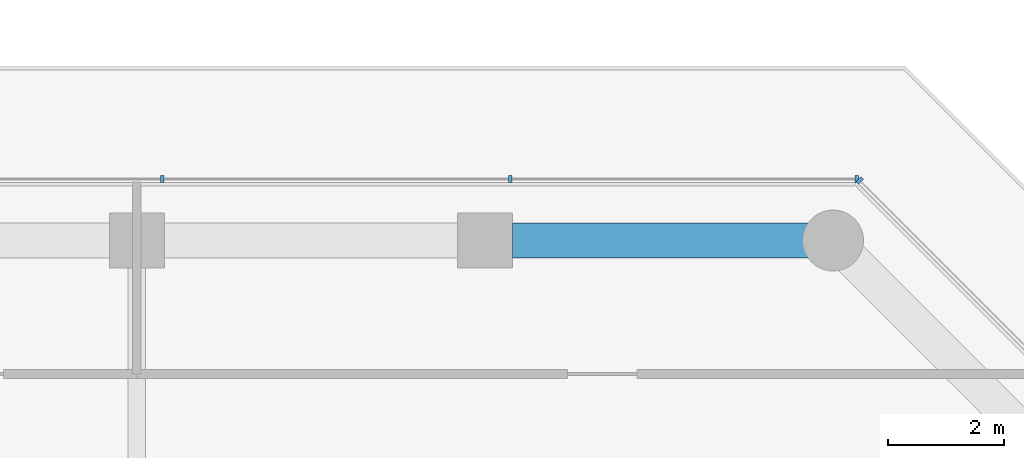
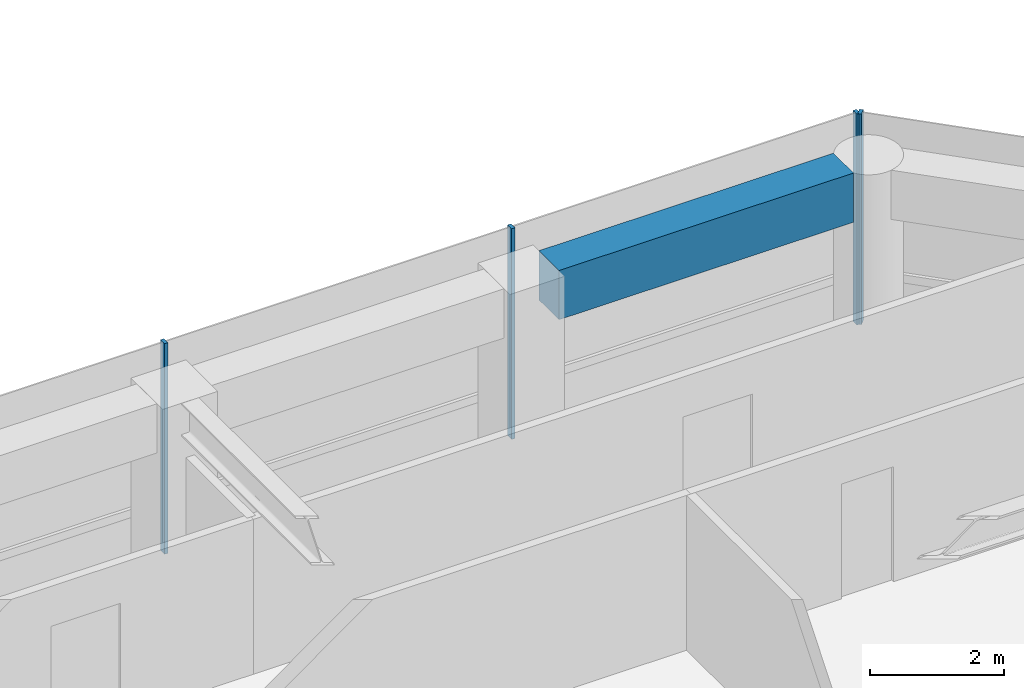
# One storey, part 11 of 29: 4 members, 1 beam, 2 elements without a shape of their own.
"""IFC4 building model written with IfcOpenShell, lengths in metres."""

from ifc_helpers import new_model, si_unit, direction, frame, origin, origin_2d, place, context, subcontext, project, spatial, rectangle, extrude, material, layer, layer_set, material_profile, profile_set, type_object, element, aggregate, save


model = new_model("IFC4")

# Units and contexts
model_context = context("Model", 3, precision=1e-05, world=origin(), true_north=direction((0.0, 1.0)))
body_context = subcontext(model_context, "Body", "Model", "MODEL_VIEW")
ifc_project = project(units=[si_unit("LENGTHUNIT", "METRE"), si_unit("AREAUNIT", "SQUARE_METRE"), si_unit("VOLUMEUNIT", "CUBIC_METRE"), si_unit("PLANEANGLEUNIT", "RADIAN"), si_unit("MASSUNIT", "GRAM", prefix="KILO")], contexts=[model_context])

# Site, building, storey
site_placement = place(None, origin())
site = spatial("IfcSite", under=ifc_project, at=site_placement, CompositionType="ELEMENT")
building_placement = place(site_placement, origin())
building = spatial("IfcBuilding", under=site, at=building_placement, Name="Welwitschia Terrace Campus", CompositionType="ELEMENT")
storey_placement = place(building_placement, frame((0.0, 0.0, 41.60009765625)))
storey = spatial("IfcBuildingStorey", under=building, at=storey_placement, Name="L09", CompositionType="ELEMENT", Elevation=41.60009765625)

# Curtain wall, member
ifc_material_1 = material(Name="Bronze anodised aluminium", Category="aluminium")
ifc_layer = layer(ifc_material_1, 0.1201171875)
ifc_layer_set = layer_set([ifc_layer], Name="Bronze anodised aluminium")
curtain_wall_type = type_object("IfcCurtainWallType", Name="Curtain wall CW2 tower 6000", PredefinedType="NOTDEFINED", material=ifc_layer_set)
curtain_wall_1_placement = place(storey_placement, origin())
curtain_wall_1 = element("IfcCurtainWall", 1, at=curtain_wall_1_placement, inside=storey, type_object=curtain_wall_type, Name="CW L09.7.0", PredefinedType="NOTDEFINED")
ifc_material_2 = material(Name="Bronze anodised aluminium", Category="aluminium")
ifc_material_profile_1 = material_profile(ifc_material_2, rectangle(XDim=0.1201171875, YDim=0.06005859375, at=origin_2d()))
ifc_profile_set_1 = profile_set([ifc_material_profile_1], Name="Bronze anodised aluminium")
member_type = type_object("IfcMemberType", Name="Mullion 60x120", PredefinedType="MULLION", material=ifc_profile_set_1)
member_1_placement = place(storey_placement, frame((60.45947265625, 21.036865234375, 0.0), z_axis=(0.0, 0.0, 1.0), x_axis=(-0.707106781187, -0.707106781187, 0.0)))
member_1 = element("IfcMember", 2, at=member_1_placement, type_object=member_type, Name="Mullion L09.7.0.2", PredefinedType="MULLION", context=body_context, shape_type="SweptSolid", body=[
    extrude(rectangle(XDim=0.1201171875, YDim=0.06005859375, at=origin_2d()), origin(), (0.0, 0.0, 1.0), 3.849853515625),
])
aggregate(curtain_wall_1, [member_1])

# Curtain wall, members
curtain_wall_2_placement = place(storey_placement, origin())
curtain_wall_2 = element("IfcCurtainWall", 3, at=curtain_wall_2_placement, inside=storey, type_object=curtain_wall_type, Name="CW L09.8.0", PredefinedType="NOTDEFINED")
member_2_placement = place(storey_placement, frame((60.408203125, 21.05810546875, 0.0), z_axis=(0.0, 0.0, 1.0), x_axis=(0.0, -1.0, 0.0)))
member_2 = element("IfcMember", 4, at=member_2_placement, type_object=member_type, Name="Mullion L09.8.0.0", PredefinedType="MULLION", context=body_context, shape_type="SweptSolid", body=[
    extrude(rectangle(XDim=0.1201171875, YDim=0.06005859375, at=origin_2d()), origin(), (0.0, 0.0, 1.0), 3.849853515625),
])
member_3_placement = place(storey_placement, frame((54.438232421875, 21.05810546875, 0.0), z_axis=(0.0, 0.0, 1.0), x_axis=(0.0, -1.0, 0.0)))
member_3 = element("IfcMember", 5, at=member_3_placement, type_object=member_type, Name="Mullion L09.8.0.1", PredefinedType="MULLION", context=body_context, shape_type="SweptSolid", body=[
    extrude(rectangle(XDim=0.1201171875, YDim=0.06005859375, at=origin_2d()), origin(), (0.0, 0.0, 1.0), 3.849853515625),
])
member_4_placement = place(storey_placement, frame((48.438232421875, 21.05810546875, 0.0), z_axis=(0.0, 0.0, 1.0), x_axis=(0.0, -1.0, 0.0)))
member_4 = element("IfcMember", 6, at=member_4_placement, type_object=member_type, Name="Mullion L09.8.0.2", PredefinedType="MULLION", context=body_context, shape_type="SweptSolid", body=[
    extrude(rectangle(XDim=0.1201171875, YDim=0.06005859375, at=origin_2d()), origin(), (0.0, 0.0, 1.0), 3.849853515625),
])
aggregate(curtain_wall_2, [member_2, member_3, member_4])

# Beam
ifc_material_3 = material(Name="Concrete C60/75", Category="concrete")
ifc_material_profile_2 = material_profile(ifc_material_3, rectangle(XDim=0.60009765625, YDim=0.89990234375, at=origin_2d()))
ifc_profile_set_2 = profile_set([ifc_material_profile_2], Name="Concrete C60/75")
beam_type = type_object("IfcBeamType", Name="Ring spandrel 600x900", PredefinedType="SPANDREL", material=ifc_profile_set_2)
beam_placement = place(storey_placement, frame((59.568603515625, 20.0, 3.39990234375), z_axis=(-1.0, 0.0, 0.0), x_axis=(0.0, -1.0, 0.0)))
element("IfcBeam", 7, at=beam_placement, inside=storey, type_object=beam_type, Name="Spandrel SP2", PredefinedType="SPANDREL", context=body_context, shape_type="SweptSolid", body=[
    extrude(rectangle(XDim=0.60009765625, YDim=0.89990234375, at=origin_2d()), origin(), (0.0, 0.0, 1.0), 5.093017578125),
])

save(model, "model.ifc")
